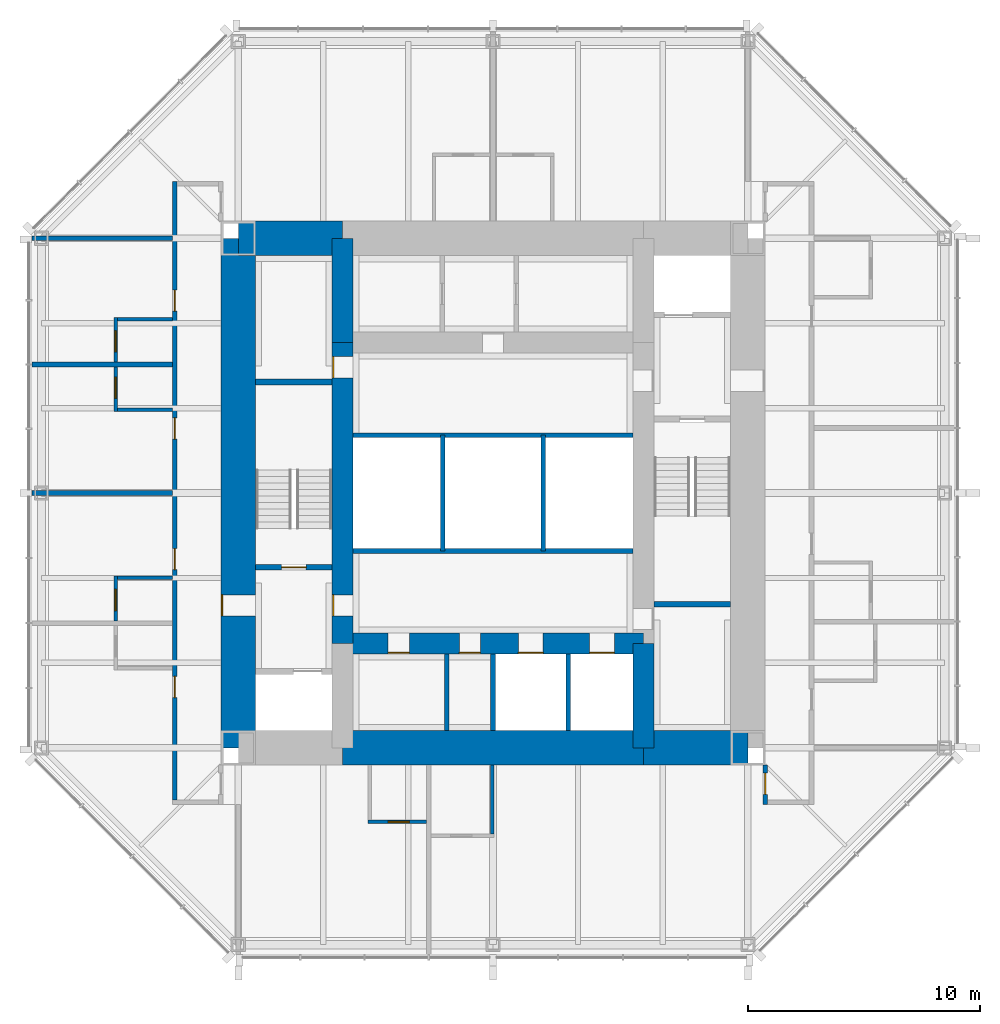
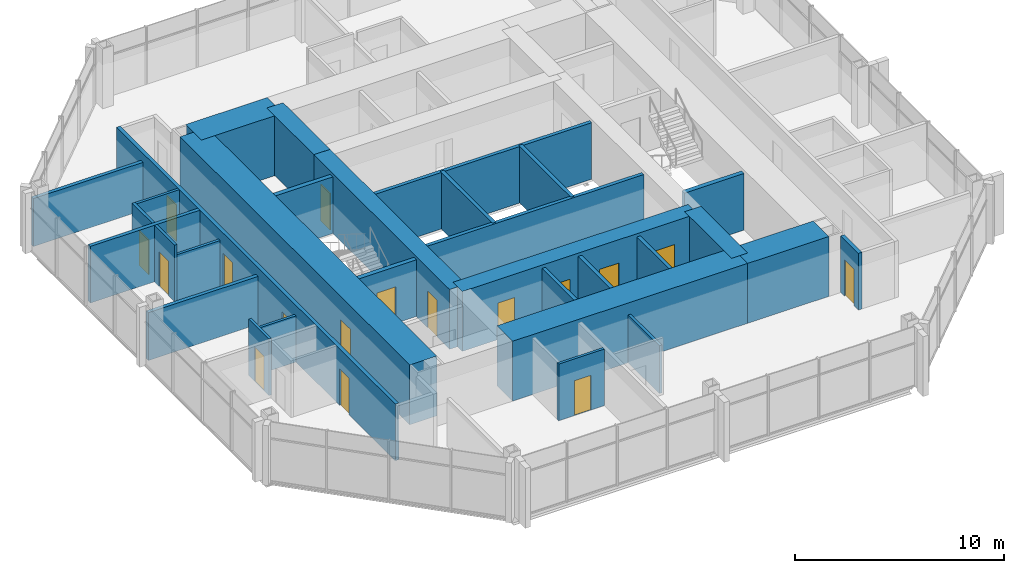
# One storey, part 8 of 11: 31 walls, 17 doors, 17 openings.
"""IFC4 building model written with IfcOpenShell, lengths in metres."""

from ifc_helpers import new_model, si_unit, direction, frame, frame_2d, origin, place, context, subcontext, project, spatial, rectangle, extrude, material, layer, layer_set, type_object, element, fill, save


model = new_model("IFC4")

# Units and contexts
model_context = context("Model", 3, precision=1e-05, world=origin(), true_north=direction((0.0, 1.0)))
body_context = subcontext(model_context, "Body", "Model", "MODEL_VIEW")
ifc_project = project(units=[si_unit("LENGTHUNIT", "METRE"), si_unit("AREAUNIT", "SQUARE_METRE"), si_unit("VOLUMEUNIT", "CUBIC_METRE"), si_unit("PLANEANGLEUNIT", "RADIAN"), si_unit("MASSUNIT", "GRAM", prefix="KILO")], contexts=[model_context])

# Site, building, storey
site_placement = place(None, origin())
site = spatial("IfcSite", under=ifc_project, at=site_placement, CompositionType="ELEMENT")
building_placement = place(site_placement, origin())
building = spatial("IfcBuilding", under=site, at=building_placement, Name="Trevanion Tower", CompositionType="ELEMENT")
storey_placement = place(building_placement, frame((0.0, 0.0, 225.699951171875)))
storey = spatial("IfcBuildingStorey", under=building, at=storey_placement, Name="L54", CompositionType="ELEMENT", Elevation=225.699951171875)

# Wall, opening, door
ifc_material_1 = material(Name="Concrete 10,000 psi", Category="concrete")
ifc_layer_1 = layer(ifc_material_1, 1.5)
ifc_layer_set_1 = layer_set([ifc_layer_1], Name="CW1 core wall 1500")
wall_type_1 = type_object("IfcWallType", Name="CW1 core wall 1500", PredefinedType="SHEAR", material=ifc_layer_set_1)
wall_1_placement = place(storey_placement, frame((-11.0, 11.0, 0.0), z_axis=(0.0, 0.0, 1.0), x_axis=(0.0, -1.0, 0.0)))
wall_1 = element("IfcWall", 1, at=wall_1_placement, inside=storey, type_object=wall_type_1, Name="CW1 CW L54", PredefinedType="SHEAR", context=body_context, shape_type="SweptSolid", body=[
    extrude(rectangle(XDim=22.0, YDim=1.5, at=frame_2d((11.0, 0.0))), origin(), (0.0, 0.0, 1.0), 3.5),
])
opening_1_placement = place(wall_1_placement, frame((15.392578125, 0.0, 0.0)))
opening_1 = element("IfcOpeningElement", 2, at=opening_1_placement, cuts=wall_1, Name="Opening 54-002", PredefinedType="OPENING", context=body_context, shape_type="SweptSolid", body=[
    extrude(rectangle(XDim=0.9150390625, YDim=2.134033203125, at=frame_2d((0.45751953125, 1.06689453125))), frame((0.0, 0.760009765625, 0.0), z_axis=(0.0, -1.0, 0.0), x_axis=(1.0, 0.0, 0.0)), (0.0, 0.0, 1.0), 1.52001953125),
])
ifc_material_2 = material(Name="Hollow metal, fire rated", Category="steel")
door_type_1 = type_object("IfcDoorType", Name="D3 fire lift lobby door", OperationType="SINGLE_SWING_RIGHT", PredefinedType="DOOR", material=ifc_material_2)
door_1_placement = place(opening_1_placement, origin())
door_1 = element("IfcDoor", 3, at=door_1_placement, inside=storey, type_object=door_type_1, Name="Door 54-002", OperationType="SINGLE_SWING_RIGHT", OverallHeight=2.134033203125, OverallWidth=0.9150390625, PredefinedType="DOOR", context=body_context, shape_type="SweptSolid", body=[
    extrude(rectangle(XDim=0.9150390625, YDim=2.134033203125, at=frame_2d((0.45751953125, 1.06689453125))), frame((0.0, -0.6748046875, 0.0), z_axis=(0.0, -1.0, 0.0), x_axis=(1.0, 0.0, 0.0)), (0.0, 0.0, 1.0), 0.050048828125),
])
fill(opening_1, door_1)

# Walls
wall_2_placement = place(storey_placement, frame((-6.5, 11.0, 0.0), z_axis=(0.0, 0.0, 1.0), x_axis=(-1.0, 0.0, 0.0)))
element("IfcWall", 4, at=wall_2_placement, inside=storey, type_object=wall_type_1, Name="CW1 CN3 L54", PredefinedType="SHEAR", context=body_context, shape_type="SweptSolid", body=[
    extrude(rectangle(XDim=4.5, YDim=1.5, at=frame_2d((2.25, 0.0))), origin(), (0.0, 0.0, 1.0), 3.5),
])
wall_3_placement = place(storey_placement, frame((-6.5, -11.0, 0.0), z_axis=(0.0, 0.0, 1.0), x_axis=(1.0, 0.0, 0.0)))
element("IfcWall", 5, at=wall_3_placement, inside=storey, type_object=wall_type_1, Name="CW1 CS2 L54", PredefinedType="SHEAR", context=body_context, shape_type="SweptSolid", body=[
    extrude(rectangle(XDim=13.0, YDim=1.5, at=frame_2d((6.5, 0.0))), origin(), (0.0, 0.0, 1.0), 3.5),
])
wall_4_placement = place(storey_placement, frame((6.5, -11.0, 0.0), z_axis=(0.0, 0.0, 1.0), x_axis=(1.0, 0.0, 0.0)))
element("IfcWall", 6, at=wall_4_placement, inside=storey, type_object=wall_type_1, Name="CW1 CS3 L54", PredefinedType="SHEAR", context=body_context, shape_type="SweptSolid", body=[
    extrude(rectangle(XDim=4.5, YDim=1.5, at=frame_2d((2.25, 0.0))), origin(), (0.0, 0.0, 1.0), 3.5),
])
ifc_material_3 = material(Name="Concrete 10,000 psi", Category="concrete")
ifc_layer_2 = layer(ifc_material_3, 0.89990234375)
ifc_layer_set_2 = layer_set([ifc_layer_2], Name="CW2 core wall 900")
wall_type_2 = type_object("IfcWallType", Name="CW2 core wall 900", PredefinedType="SHEAR", material=ifc_layer_set_2)
for number, where, z_axis, x_axis, name in (
    (7, (6.5, -11.0, 0.0), (0.0, 0.0, 1.0), (0.0, 1.0, 0.0), "CW2 RE1 L54"),
    (8, (-6.5, 11.0, 0.0), (0.0, 0.0, 1.0), (0.0, -1.0, 0.0), "CW2 RW1 L54"),
):
    element("IfcWall", number, at=place(storey_placement, frame(where, z_axis=z_axis, x_axis=x_axis)), inside=storey, type_object=wall_type_2, Name=name, PredefinedType="SHEAR", context=body_context, shape_type="SweptSolid", body=[
        extrude(rectangle(XDim=4.5, YDim=0.89990234375, at=frame_2d((2.25, 0.0))), origin(), (0.0, 0.0, 1.0), 3.5),
    ])

# Wall, openings, doors
wall_5_placement = place(storey_placement, frame((-6.5, 6.5, 0.0), z_axis=(0.0, 0.0, 1.0), x_axis=(0.0, -1.0, 0.0)))
wall_5 = element("IfcWall", 9, at=wall_5_placement, inside=storey, type_object=wall_type_2, Name="CW2 RW2 L54", PredefinedType="SHEAR", context=body_context, shape_type="SweptSolid", body=[
    extrude(rectangle(XDim=13.0, YDim=0.89990234375, at=frame_2d((6.5, 0.0))), origin(), (0.0, 0.0, 1.0), 3.5),
])
opening_2_placement = place(wall_5_placement, frame((10.892578125, 0.0, 0.0)))
opening_2 = element("IfcOpeningElement", 10, at=opening_2_placement, cuts=wall_5, Name="Opening 54-004", PredefinedType="OPENING", context=body_context, shape_type="SweptSolid", body=[
    extrude(rectangle(XDim=0.9150390625, YDim=2.134033203125, at=frame_2d((0.45751953125, 1.06689453125))), frame((0.0, 0.4599609375, 0.0), z_axis=(0.0, -1.0, 0.0), x_axis=(1.0, 0.0, 0.0)), (0.0, 0.0, 1.0), 0.919921875),
])
opening_3_placement = place(wall_5_placement, frame((0.610107421875, 0.0, 0.0)))
opening_3 = element("IfcOpeningElement", 11, at=opening_3_placement, cuts=wall_5, Name="Opening 54-010", PredefinedType="OPENING", context=body_context, shape_type="SweptSolid", body=[
    extrude(rectangle(XDim=0.9150390625, YDim=2.134033203125, at=frame_2d((0.45751953125, 1.06689453125))), frame((0.0, 0.4599609375, 0.0), z_axis=(0.0, -1.0, 0.0), x_axis=(1.0, 0.0, 0.0)), (0.0, 0.0, 1.0), 0.919921875),
])
door_2_placement = place(opening_2_placement, origin())
door_2 = element("IfcDoor", 12, at=door_2_placement, inside=storey, type_object=door_type_1, Name="Door 54-004", OperationType="SINGLE_SWING_RIGHT", OverallHeight=2.134033203125, OverallWidth=0.9150390625, PredefinedType="DOOR", context=body_context, shape_type="SweptSolid", body=[
    extrude(rectangle(XDim=0.9150390625, YDim=2.134033203125, at=frame_2d((0.45751953125, 1.06689453125))), frame((0.0, -0.375, 0.0), z_axis=(0.0, -1.0, 0.0), x_axis=(1.0, 0.0, 0.0)), (0.0, 0.0, 1.0), 0.050048828125),
])
fill(opening_2, door_2)
ifc_material_4 = material(Name="Hollow metal, fire rated", Category="steel")
door_type_2 = type_object("IfcDoorType", Name="D5 service room door", OperationType="SINGLE_SWING_RIGHT", PredefinedType="DOOR", material=ifc_material_4)
door_3_placement = place(opening_3_placement, origin())
door_3 = element("IfcDoor", 13, at=door_3_placement, inside=storey, type_object=door_type_2, Name="Door 54-010", OperationType="SINGLE_SWING_RIGHT", OverallHeight=2.134033203125, OverallWidth=0.9150390625, PredefinedType="DOOR", context=body_context, shape_type="SweptSolid", body=[
    extrude(rectangle(XDim=0.9150390625, YDim=2.134033203125, at=frame_2d((0.45751953125, 1.06689453125))), frame((0.0, -0.375, 0.0), z_axis=(0.0, -1.0, 0.0), x_axis=(1.0, 0.0, 0.0)), (0.0, 0.0, 1.0), 0.050048828125),
])
fill(opening_3, door_3)

wall_6_placement = place(storey_placement, frame((-6.5, -6.5, 0.0), z_axis=(0.0, 0.0, 1.0), x_axis=(1.0, 0.0, 0.0)))
wall_6 = element("IfcWall", 14, at=wall_6_placement, inside=storey, type_object=wall_type_2, Name="CW2 RS L54", PredefinedType="SHEAR", context=body_context, shape_type="SweptSolid", body=[
    extrude(rectangle(XDim=13.0, YDim=0.89990234375, at=frame_2d((6.5, 0.0))), origin(), (0.0, 0.0, 1.0), 3.5),
])
opening_4_placement = place(wall_6_placement, frame((7.591552734375, 0.0, 0.0)))
opening_4 = element("IfcOpeningElement", 15, at=opening_4_placement, cuts=wall_6, Name="Opening 54-011", PredefinedType="OPENING", context=body_context, shape_type="SweptSolid", body=[
    extrude(rectangle(XDim=1.06689453125, YDim=2.134033203125, at=frame_2d((0.533447265625, 1.06689453125))), frame((0.0, 0.4599609375, 0.0), z_axis=(0.0, -1.0, 0.0), x_axis=(1.0, 0.0, 0.0)), (0.0, 0.0, 1.0), 0.919921875),
])
opening_5_placement = place(wall_6_placement, frame((10.66650390625, 0.0, 0.0)))
opening_5 = element("IfcOpeningElement", 16, at=opening_5_placement, cuts=wall_6, Name="Opening 54-012", PredefinedType="OPENING", context=body_context, shape_type="SweptSolid", body=[
    extrude(rectangle(XDim=1.06689453125, YDim=2.134033203125, at=frame_2d((0.533447265625, 1.06689453125))), frame((0.0, 0.4599609375, 0.0), z_axis=(0.0, -1.0, 0.0), x_axis=(1.0, 0.0, 0.0)), (0.0, 0.0, 1.0), 0.919921875),
])
opening_6_placement = place(wall_6_placement, frame((1.967529296875, 0.0, 0.0)))
opening_6 = element("IfcOpeningElement", 17, at=opening_6_placement, cuts=wall_6, Name="Opening 54-013", PredefinedType="OPENING", context=body_context, shape_type="SweptSolid", body=[
    extrude(rectangle(XDim=0.9150390625, YDim=2.134033203125, at=frame_2d((0.45751953125, 1.06689453125))), frame((0.0, 0.4599609375, 0.0), z_axis=(0.0, -1.0, 0.0), x_axis=(1.0, 0.0, 0.0)), (0.0, 0.0, 1.0), 0.919921875),
])
opening_7_placement = place(wall_6_placement, frame((5.04248046875, 0.0, 0.0)))
opening_7 = element("IfcOpeningElement", 18, at=opening_7_placement, cuts=wall_6, Name="Opening 54-014", PredefinedType="OPENING", context=body_context, shape_type="SweptSolid", body=[
    extrude(rectangle(XDim=0.9150390625, YDim=2.134033203125, at=frame_2d((0.45751953125, 1.06689453125))), frame((0.0, 0.4599609375, 0.0), z_axis=(0.0, -1.0, 0.0), x_axis=(1.0, 0.0, 0.0)), (0.0, 0.0, 1.0), 0.919921875),
])
door_4_placement = place(opening_6_placement, origin())
door_4 = element("IfcDoor", 19, at=door_4_placement, inside=storey, type_object=door_type_2, Name="Door 54-013", OperationType="SINGLE_SWING_RIGHT", OverallHeight=2.134033203125, OverallWidth=0.9150390625, PredefinedType="DOOR", context=body_context, shape_type="SweptSolid", body=[
    extrude(rectangle(XDim=0.9150390625, YDim=2.134033203125, at=frame_2d((0.45751953125, 1.06689453125))), frame((0.0, -0.375, 0.0), z_axis=(0.0, -1.0, 0.0), x_axis=(1.0, 0.0, 0.0)), (0.0, 0.0, 1.0), 0.050048828125),
])
fill(opening_6, door_4)
door_5_placement = place(opening_7_placement, origin())
door_5 = element("IfcDoor", 20, at=door_5_placement, inside=storey, type_object=door_type_2, Name="Door 54-014", OperationType="SINGLE_SWING_RIGHT", OverallHeight=2.134033203125, OverallWidth=0.9150390625, PredefinedType="DOOR", context=body_context, shape_type="SweptSolid", body=[
    extrude(rectangle(XDim=0.9150390625, YDim=2.134033203125, at=frame_2d((0.45751953125, 1.06689453125))), frame((0.0, -0.375, 0.0), z_axis=(0.0, -1.0, 0.0), x_axis=(1.0, 0.0, 0.0)), (0.0, 0.0, 1.0), 0.050048828125),
])
fill(opening_7, door_5)
ifc_material_5 = material(Name="Stainless steel, fire rated", Category="steel")
door_type_3 = type_object("IfcDoorType", Name="LD1 lift landing door", OperationType="SLIDING_TO_LEFT", PredefinedType="DOOR", material=ifc_material_5)
door_6_placement = place(opening_4_placement, origin())
door_6 = element("IfcDoor", 21, at=door_6_placement, inside=storey, type_object=door_type_3, Name="Door 54-011", OperationType="SLIDING_TO_LEFT", OverallHeight=2.134033203125, OverallWidth=1.06689453125, PredefinedType="DOOR", context=body_context, shape_type="SweptSolid", body=[
    extrude(rectangle(XDim=1.06689453125, YDim=2.134033203125, at=frame_2d((0.533447265625, 1.06689453125))), frame((0.0, -0.375, 0.0), z_axis=(0.0, -1.0, 0.0), x_axis=(1.0, 0.0, 0.0)), (0.0, 0.0, 1.0), 0.050048828125),
])
fill(opening_4, door_6)
door_7_placement = place(opening_5_placement, origin())
door_7 = element("IfcDoor", 22, at=door_7_placement, inside=storey, type_object=door_type_3, Name="Door 54-012", OperationType="SLIDING_TO_LEFT", OverallHeight=2.134033203125, OverallWidth=1.06689453125, PredefinedType="DOOR", context=body_context, shape_type="SweptSolid", body=[
    extrude(rectangle(XDim=1.06689453125, YDim=2.134033203125, at=frame_2d((0.533447265625, 1.06689453125))), frame((0.0, -0.375, 0.0), z_axis=(0.0, -1.0, 0.0), x_axis=(1.0, 0.0, 0.0)), (0.0, 0.0, 1.0), 0.050048828125),
])
fill(opening_5, door_7)

# Wall, opening, door
ifc_material_6 = material(Name="Gypsum board on steel studs", Category="steel")
ifc_layer_3 = layer(ifc_material_6, 0.14990234375)
ifc_layer_set_3 = layer_set([ifc_layer_3], Name="PT1 partition 150")
wall_type_3 = type_object("IfcWallType", Name="PT1 partition 150", PredefinedType="PARTITIONING", material=ifc_layer_set_3)
wall_7_placement = place(storey_placement, frame((-16.300048828125, 7.573974609375, 0.0), z_axis=(0.0, 0.0, 1.0), x_axis=(0.0, -1.0, 0.0)))
wall_7 = element("IfcWall", 23, at=wall_7_placement, inside=storey, type_object=wall_type_3, Name="PT1 L54 BA20", PredefinedType="PARTITIONING", context=body_context, shape_type="SweptSolid", body=[
    extrude(rectangle(XDim=1.925048828125, YDim=0.14990234375, at=frame_2d((0.96240234375, 0.0))), origin(), (0.0, 0.0, 1.0), 3.31005859375),
])
opening_8_placement = place(wall_7_placement, frame((0.5673828125, 0.0, 0.0)))
opening_8 = element("IfcOpeningElement", 24, at=opening_8_placement, cuts=wall_7, Name="Opening 54-028", PredefinedType="OPENING", context=body_context, shape_type="SweptSolid", body=[
    extrude(rectangle(XDim=0.9150390625, YDim=2.031982421875, at=frame_2d((0.45751953125, 1.01611328125))), frame((0.0, 0.0849609375, 0.0), z_axis=(0.0, -1.0, 0.0), x_axis=(1.0, 0.0, 0.0)), (0.0, 0.0, 1.0), 0.169921875),
])
ifc_material_7 = material(Name="Timber veneer", Category="wood")
door_type_4 = type_object("IfcDoorType", Name="D7 bathroom door", OperationType="SINGLE_SWING_LEFT", PredefinedType="DOOR", material=ifc_material_7)
door_8_placement = place(opening_8_placement, origin())
door_8 = element("IfcDoor", 25, at=door_8_placement, inside=storey, type_object=door_type_4, Name="Door 54-028", OperationType="SINGLE_SWING_LEFT", OverallHeight=2.031982421875, OverallWidth=0.9150390625, PredefinedType="DOOR", context=body_context, shape_type="SweptSolid", body=[
    extrude(rectangle(XDim=0.9150390625, YDim=2.031982421875, at=frame_2d((0.45751953125, 1.01611328125))), frame((0.0, 0.02490234375, 0.0), z_axis=(0.0, -1.0, 0.0), x_axis=(1.0, 0.0, 0.0)), (0.0, 0.0, 1.0), 0.050048828125),
])
fill(opening_8, door_8)

# Wall
wall_8_placement = place(storey_placement, frame((-13.85009765625, 7.4990234375, 0.0), z_axis=(0.0, 0.0, 1.0), x_axis=(-1.0, 0.0, 0.0)))
element("IfcWall", 26, at=wall_8_placement, inside=storey, type_object=wall_type_3, Name="PT1 L54 BB20", PredefinedType="PARTITIONING", context=body_context, shape_type="SweptSolid", body=[
    extrude(rectangle(XDim=2.375, YDim=0.14990234375, at=frame_2d((1.1875, 0.0))), origin(), (0.0, 0.0, 1.0), 3.31005859375),
])

# Wall, opening, door
wall_9_placement = place(storey_placement, frame((-16.300048828125, 5.448974609375, 0.0), z_axis=(0.0, 0.0, 1.0), x_axis=(0.0, -1.0, 0.0)))
wall_9 = element("IfcWall", 27, at=wall_9_placement, inside=storey, type_object=wall_type_3, Name="PT1 L54 BA21", PredefinedType="PARTITIONING", context=body_context, shape_type="SweptSolid", body=[
    extrude(rectangle(XDim=1.925048828125, YDim=0.14990234375, at=frame_2d((0.96240234375, 0.0))), origin(), (0.0, 0.0, 1.0), 3.31005859375),
])
opening_9_placement = place(wall_9_placement, frame((0.4423828125, 0.0, 0.0)))
opening_9 = element("IfcOpeningElement", 28, at=opening_9_placement, cuts=wall_9, Name="Opening 54-030", PredefinedType="OPENING", context=body_context, shape_type="SweptSolid", body=[
    extrude(rectangle(XDim=0.9150390625, YDim=2.031982421875, at=frame_2d((0.45751953125, 1.01611328125))), frame((0.0, 0.0849609375, 0.0), z_axis=(0.0, -1.0, 0.0), x_axis=(1.0, 0.0, 0.0)), (0.0, 0.0, 1.0), 0.169921875),
])
door_9_placement = place(opening_9_placement, origin())
door_9 = element("IfcDoor", 29, at=door_9_placement, inside=storey, type_object=door_type_4, Name="Door 54-030", OperationType="SINGLE_SWING_LEFT", OverallHeight=2.031982421875, OverallWidth=0.9150390625, PredefinedType="DOOR", context=body_context, shape_type="SweptSolid", body=[
    extrude(rectangle(XDim=0.9150390625, YDim=2.031982421875, at=frame_2d((0.45751953125, 1.01611328125))), frame((0.0, 0.02490234375, 0.0), z_axis=(0.0, -1.0, 0.0), x_axis=(1.0, 0.0, 0.0)), (0.0, 0.0, 1.0), 0.050048828125),
])
fill(opening_9, door_9)

# Wall
wall_10_placement = place(storey_placement, frame((-13.85009765625, 3.59912109375, 0.0), z_axis=(0.0, 0.0, 1.0), x_axis=(-1.0, 0.0, 0.0)))
element("IfcWall", 30, at=wall_10_placement, inside=storey, type_object=wall_type_3, Name="PT1 L54 BB21", PredefinedType="PARTITIONING", context=body_context, shape_type="SweptSolid", body=[
    extrude(rectangle(XDim=2.375, YDim=0.14990234375, at=frame_2d((1.1875, 0.0))), origin(), (0.0, 0.0, 1.0), 2.703125),
])

# Wall, opening, door
wall_11_placement = place(storey_placement, frame((-16.300048828125, -3.589111328125, 0.0), z_axis=(0.0, 0.0, 1.0), x_axis=(0.0, -1.0, 0.0)))
wall_11 = element("IfcWall", 31, at=wall_11_placement, inside=storey, type_object=wall_type_3, Name="PT1 L54 BA22", PredefinedType="PARTITIONING", context=body_context, shape_type="SweptSolid", body=[
    extrude(rectangle(XDim=1.9248046875, YDim=0.14990234375, at=frame_2d((0.96240234375, 0.0))), origin(), (0.0, 0.0, 1.0), 3.31005859375),
])
opening_10_placement = place(wall_11_placement, frame((0.5673828125, 0.0, 0.0)))
opening_10 = element("IfcOpeningElement", 32, at=opening_10_placement, cuts=wall_11, Name="Opening 54-032", PredefinedType="OPENING", context=body_context, shape_type="SweptSolid", body=[
    extrude(rectangle(XDim=0.9150390625, YDim=2.031982421875, at=frame_2d((0.45751953125, 1.01611328125))), frame((0.0, 0.0849609375, 0.0), z_axis=(0.0, -1.0, 0.0), x_axis=(1.0, 0.0, 0.0)), (0.0, 0.0, 1.0), 0.169921875),
])
door_10_placement = place(opening_10_placement, origin())
door_10 = element("IfcDoor", 33, at=door_10_placement, inside=storey, type_object=door_type_4, Name="Door 54-032", OperationType="SINGLE_SWING_LEFT", OverallHeight=2.031982421875, OverallWidth=0.9150390625, PredefinedType="DOOR", context=body_context, shape_type="SweptSolid", body=[
    extrude(rectangle(XDim=0.9150390625, YDim=2.031982421875, at=frame_2d((0.45751953125, 1.01611328125))), frame((0.0, 0.02490234375, 0.0), z_axis=(0.0, -1.0, 0.0), x_axis=(1.0, 0.0, 0.0)), (0.0, 0.0, 1.0), 0.050048828125),
])
fill(opening_10, door_10)

# Wall
wall_12_placement = place(storey_placement, frame((-13.85009765625, -3.6640625, 0.0), z_axis=(0.0, 0.0, 1.0), x_axis=(-1.0, 0.0, 0.0)))
element("IfcWall", 34, at=wall_12_placement, inside=storey, type_object=wall_type_3, Name="PT1 L54 BB22", PredefinedType="PARTITIONING", context=body_context, shape_type="SweptSolid", body=[
    extrude(rectangle(XDim=2.375, YDim=0.14990234375, at=frame_2d((1.1875, 0.0))), origin(), (0.0, 0.0, 1.0), 2.703125),
])

# Wall, opening, door
wall_13_placement = place(storey_placement, frame((-5.39990234375, -14.199951171875, 0.0), z_axis=(0.0, 0.0, 1.0), x_axis=(1.0, 0.0, 0.0)))
wall_13 = element("IfcWall", 35, at=wall_13_placement, inside=storey, type_object=wall_type_3, Name="PT1 L54 BA30", PredefinedType="PARTITIONING", context=body_context, shape_type="SweptSolid", body=[
    extrude(rectangle(XDim=2.52490234375, YDim=0.14990234375, at=frame_2d((1.262451171875, 0.0))), origin(), (0.0, 0.0, 1.0), 3.31005859375),
])
opening_11_placement = place(wall_13_placement, frame((0.867431640625, 0.0, 0.0)))
opening_11 = element("IfcOpeningElement", 36, at=opening_11_placement, cuts=wall_13, Name="Opening 54-038", PredefinedType="OPENING", context=body_context, shape_type="SweptSolid", body=[
    extrude(rectangle(XDim=0.9150390625, YDim=2.031982421875, at=frame_2d((0.45751953125, 1.01611328125))), frame((0.0, 0.0849609375, 0.0), z_axis=(0.0, -1.0, 0.0), x_axis=(1.0, 0.0, 0.0)), (0.0, 0.0, 1.0), 0.169921875),
])
door_11_placement = place(opening_11_placement, origin())
door_11 = element("IfcDoor", 37, at=door_11_placement, inside=storey, type_object=door_type_4, Name="Door 54-038", OperationType="SINGLE_SWING_LEFT", OverallHeight=2.031982421875, OverallWidth=0.9150390625, PredefinedType="DOOR", context=body_context, shape_type="SweptSolid", body=[
    extrude(rectangle(XDim=0.9150390625, YDim=2.031982421875, at=frame_2d((0.45751953125, 1.01611328125))), frame((0.0, 0.02490234375, 0.0), z_axis=(0.0, -1.0, 0.0), x_axis=(1.0, 0.0, 0.0)), (0.0, 0.0, 1.0), 0.050048828125),
])
fill(opening_11, door_11)

# Walls
wall_14_placement = place(storey_placement, frame((-0.02490234375, -11.75, 0.0), z_axis=(0.0, 0.0, 1.0), x_axis=(0.0, -1.0, 0.0)))
element("IfcWall", 38, at=wall_14_placement, inside=storey, type_object=wall_type_3, Name="PT1 L54 BB31", PredefinedType="PARTITIONING", context=body_context, shape_type="SweptSolid", body=[
    extrude(rectangle(XDim=2.97509765625, YDim=0.14990234375, at=frame_2d((1.487548828125, 0.0))), origin(), (0.0, 0.0, 1.0), 2.802001953125),
])
ifc_material_8 = material(Name="Concrete masonry, grouted", Category="masonry")
ifc_layer_4 = layer(ifc_material_8, 0.199951171875)
ifc_layer_set_4 = layer_set([ifc_layer_4], Name="PT2 partition 200 1 HR")
wall_type_4 = type_object("IfcWallType", Name="PT2 partition 200 1 HR", PredefinedType="PARTITIONING", material=ifc_layer_set_4)
for number, where, z_axis, x_axis, name in (
    (39, (-6.050048828125, 2.5, 0.0), (0.0, 0.0, 1.0), (1.0, 0.0, 0.0), "PT2 L54 CP1"),
    (40, (6.050048828125, -2.5, 0.0), (0.0, 0.0, 1.0), (-1.0, 0.0, 0.0), "PT2 L54 CP2"),
):
    element("IfcWall", number, at=place(storey_placement, frame(where, z_axis=z_axis, x_axis=x_axis)), inside=storey, type_object=wall_type_4, Name=name, PredefinedType="PARTITIONING", context=body_context, shape_type="SweptSolid", body=[
        extrude(rectangle(XDim=12.10009765625, YDim=0.199951171875, at=frame_2d((6.050048828125, 0.0))), origin(), (0.0, 0.0, 1.0), 3.31005859375),
    ])
wall_15_placement = place(storey_placement, frame((-2.0, -10.25, 0.0), z_axis=(0.0, 0.0, 1.0), x_axis=(0.0, 1.0, 0.0)))
element("IfcWall", 41, at=wall_15_placement, inside=storey, type_object=wall_type_4, Name="PT2 L54 SI0", PredefinedType="PARTITIONING", context=body_context, shape_type="SweptSolid", body=[
    extrude(rectangle(XDim=3.300048828125, YDim=0.199951171875, at=frame_2d((1.64990234375, 0.0))), origin(), (0.0, 0.0, 1.0), 3.31005859375),
])

# Wall, opening, door
wall_16_placement = place(storey_placement, frame((11.75, -11.75, 0.0), z_axis=(0.0, 0.0, 1.0), x_axis=(0.0, -1.0, 0.0)))
wall_16 = element("IfcWall", 42, at=wall_16_placement, inside=storey, type_object=wall_type_4, Name="PT2 L54 HO3b", PredefinedType="PARTITIONING", context=body_context, shape_type="SweptSolid", body=[
    extrude(rectangle(XDim=1.699951171875, YDim=0.199951171875, at=frame_2d((0.85009765625, 0.0))), origin(), (0.0, 0.0, 1.0), 3.31005859375),
])
opening_12_placement = place(wall_16_placement, frame((0.342529296875, 0.0, 0.0)))
opening_12 = element("IfcOpeningElement", 43, at=opening_12_placement, cuts=wall_16, Name="Opening 54-037", PredefinedType="OPENING", context=body_context, shape_type="SweptSolid", body=[
    extrude(rectangle(XDim=0.9150390625, YDim=2.134033203125, at=frame_2d((0.45751953125, 1.06689453125))), frame((0.0, 0.10986328125, 0.0), z_axis=(0.0, -1.0, 0.0), x_axis=(1.0, 0.0, 0.0)), (0.0, 0.0, 1.0), 0.219970703125),
])
ifc_material_9 = material(Name="Timber veneer, fire rated", Category="wood")
door_type_5 = type_object("IfcDoorType", Name="D6 guest room entrance door", OperationType="SINGLE_SWING_LEFT", PredefinedType="DOOR", material=ifc_material_9)
door_12_placement = place(opening_12_placement, origin())
door_12 = element("IfcDoor", 44, at=door_12_placement, inside=storey, type_object=door_type_5, Name="Door 54-037", OperationType="SINGLE_SWING_LEFT", OverallHeight=2.134033203125, OverallWidth=0.9150390625, PredefinedType="DOOR", context=body_context, shape_type="SweptSolid", body=[
    extrude(rectangle(XDim=0.9150390625, YDim=2.134033203125, at=frame_2d((0.45751953125, 1.06689453125))), frame((0.0, 0.02490234375, 0.0), z_axis=(0.0, -1.0, 0.0), x_axis=(1.0, 0.0, 0.0)), (0.0, 0.0, 1.0), 0.050048828125),
])
fill(opening_12, door_12)

# Wall, openings, doors
wall_17_placement = place(storey_placement, frame((-13.75, 13.449951171875, 0.0), z_axis=(0.0, 0.0, 1.0), x_axis=(0.0, -1.0, 0.0)))
wall_17 = element("IfcWall", 45, at=wall_17_placement, inside=storey, type_object=wall_type_4, Name="PT2 L54 HC2", PredefinedType="PARTITIONING", context=body_context, shape_type="SweptSolid", body=[
    extrude(rectangle(XDim=26.699951171875, YDim=0.199951171875, at=frame_2d((13.35009765625, 0.0))), origin(), (0.0, 0.0, 1.0), 3.31005859375),
])
opening_13_placement = place(wall_17_placement, frame((4.68359375, 0.0, 0.0)))
opening_13 = element("IfcOpeningElement", 46, at=opening_13_placement, cuts=wall_17, Name="Opening 54-029", PredefinedType="OPENING", context=body_context, shape_type="SweptSolid", body=[
    extrude(rectangle(XDim=0.9150390625, YDim=2.134033203125, at=frame_2d((0.45751953125, 1.06689453125))), frame((0.0, 0.10986328125, 0.0), z_axis=(0.0, -1.0, 0.0), x_axis=(1.0, 0.0, 0.0)), (0.0, 0.0, 1.0), 0.219970703125),
])
opening_14_placement = place(wall_17_placement, frame((10.20361328125, 0.0, 0.0)))
opening_14 = element("IfcOpeningElement", 47, at=opening_14_placement, cuts=wall_17, Name="Opening 54-031", PredefinedType="OPENING", context=body_context, shape_type="SweptSolid", body=[
    extrude(rectangle(XDim=0.9150390625, YDim=2.134033203125, at=frame_2d((0.45751953125, 1.06689453125))), frame((0.0, 0.10986328125, 0.0), z_axis=(0.0, -1.0, 0.0), x_axis=(1.0, 0.0, 0.0)), (0.0, 0.0, 1.0), 0.219970703125),
])
opening_15_placement = place(wall_17_placement, frame((15.846435546875, 0.0, 0.0)))
opening_15 = element("IfcOpeningElement", 48, at=opening_15_placement, cuts=wall_17, Name="Opening 54-033", PredefinedType="OPENING", context=body_context, shape_type="SweptSolid", body=[
    extrude(rectangle(XDim=0.9150390625, YDim=2.134033203125, at=frame_2d((0.45751953125, 1.06689453125))), frame((0.0, 0.10986328125, 0.0), z_axis=(0.0, -1.0, 0.0), x_axis=(1.0, 0.0, 0.0)), (0.0, 0.0, 1.0), 0.219970703125),
])
opening_16_placement = place(wall_17_placement, frame((21.366455078125, 0.0, 0.0)))
opening_16 = element("IfcOpeningElement", 49, at=opening_16_placement, cuts=wall_17, Name="Opening 54-035", PredefinedType="OPENING", context=body_context, shape_type="SweptSolid", body=[
    extrude(rectangle(XDim=0.9150390625, YDim=2.134033203125, at=frame_2d((0.45751953125, 1.06689453125))), frame((0.0, 0.10986328125, 0.0), z_axis=(0.0, -1.0, 0.0), x_axis=(1.0, 0.0, 0.0)), (0.0, 0.0, 1.0), 0.219970703125),
])
door_13_placement = place(opening_13_placement, origin())
door_13 = element("IfcDoor", 50, at=door_13_placement, inside=storey, type_object=door_type_5, Name="Door 54-029", OperationType="SINGLE_SWING_LEFT", OverallHeight=2.134033203125, OverallWidth=0.9150390625, PredefinedType="DOOR", context=body_context, shape_type="SweptSolid", body=[
    extrude(rectangle(XDim=0.9150390625, YDim=2.134033203125, at=frame_2d((0.45751953125, 1.06689453125))), frame((0.0, 0.02490234375, 0.0), z_axis=(0.0, -1.0, 0.0), x_axis=(1.0, 0.0, 0.0)), (0.0, 0.0, 1.0), 0.050048828125),
])
fill(opening_13, door_13)
door_14_placement = place(opening_14_placement, origin())
door_14 = element("IfcDoor", 51, at=door_14_placement, inside=storey, type_object=door_type_5, Name="Door 54-031", OperationType="SINGLE_SWING_LEFT", OverallHeight=2.134033203125, OverallWidth=0.9150390625, PredefinedType="DOOR", context=body_context, shape_type="SweptSolid", body=[
    extrude(rectangle(XDim=0.9150390625, YDim=2.134033203125, at=frame_2d((0.45751953125, 1.06689453125))), frame((0.0, 0.02490234375, 0.0), z_axis=(0.0, -1.0, 0.0), x_axis=(1.0, 0.0, 0.0)), (0.0, 0.0, 1.0), 0.050048828125),
])
fill(opening_14, door_14)
door_15_placement = place(opening_15_placement, origin())
door_15 = element("IfcDoor", 52, at=door_15_placement, inside=storey, type_object=door_type_5, Name="Door 54-033", OperationType="SINGLE_SWING_LEFT", OverallHeight=2.134033203125, OverallWidth=0.9150390625, PredefinedType="DOOR", context=body_context, shape_type="SweptSolid", body=[
    extrude(rectangle(XDim=0.9150390625, YDim=2.134033203125, at=frame_2d((0.45751953125, 1.06689453125))), frame((0.0, 0.02490234375, 0.0), z_axis=(0.0, -1.0, 0.0), x_axis=(1.0, 0.0, 0.0)), (0.0, 0.0, 1.0), 0.050048828125),
])
fill(opening_15, door_15)
door_16_placement = place(opening_16_placement, origin())
door_16 = element("IfcDoor", 53, at=door_16_placement, inside=storey, type_object=door_type_5, Name="Door 54-035", OperationType="SINGLE_SWING_LEFT", OverallHeight=2.134033203125, OverallWidth=0.9150390625, PredefinedType="DOOR", context=body_context, shape_type="SweptSolid", body=[
    extrude(rectangle(XDim=0.9150390625, YDim=2.134033203125, at=frame_2d((0.45751953125, 1.06689453125))), frame((0.0, 0.02490234375, 0.0), z_axis=(0.0, -1.0, 0.0), x_axis=(1.0, 0.0, 0.0)), (0.0, 0.0, 1.0), 0.050048828125),
])
fill(opening_16, door_16)

# Walls
wall_18_placement = place(storey_placement, frame((-13.85009765625, 11.0, 0.0), z_axis=(0.0, 0.0, 1.0), x_axis=(-1.0, 0.0, 0.0)))
element("IfcWall", 54, at=wall_18_placement, inside=storey, type_object=wall_type_4, Name="PT2 L54 HD20", PredefinedType="PARTITIONING", context=body_context, shape_type="SweptSolid", body=[
    extrude(rectangle(XDim=6.06494140625, YDim=0.199951171875, at=frame_2d((3.032470703125, 0.0))), origin(), (0.0, 0.0, 1.0), 2.802001953125),
])
wall_19_placement = place(storey_placement, frame((-13.85009765625, 5.549072265625, 0.0), z_axis=(0.0, 0.0, 1.0), x_axis=(-1.0, 0.0, 0.0)))
element("IfcWall", 55, at=wall_19_placement, inside=storey, type_object=wall_type_4, Name="PT2 L54 HD21", PredefinedType="PARTITIONING", context=body_context, shape_type="SweptSolid", body=[
    extrude(rectangle(XDim=6.06494140625, YDim=0.199951171875, at=frame_2d((3.032470703125, 0.0))), origin(), (0.0, 0.0, 1.0), 3.31005859375),
])
wall_20_placement = place(storey_placement, frame((-13.85009765625, 0.0, 0.0), z_axis=(0.0, 0.0, 1.0), x_axis=(-1.0, 0.0, 0.0)))
element("IfcWall", 56, at=wall_20_placement, inside=storey, type_object=wall_type_4, Name="PT2 L54 HD22", PredefinedType="PARTITIONING", context=body_context, shape_type="SweptSolid", body=[
    extrude(rectangle(XDim=6.06494140625, YDim=0.199951171875, at=frame_2d((3.032470703125, 0.0))), origin(), (0.0, 0.0, 1.0), 2.802001953125),
])
ifc_material_10 = material(Name="Concrete masonry, grouted", Category="masonry")
ifc_layer_5 = layer(ifc_material_10, 0.199951171875)
ifc_layer_set_5 = layer_set([ifc_layer_5], Name="PT2 partition 200 2 HR")
wall_type_5 = type_object("IfcWallType", Name="PT2 partition 200 2 HR", PredefinedType="PARTITIONING", material=ifc_layer_set_5)
for number, where, z_axis, x_axis, name in (
    (57, (0.0, -10.25, 0.0), (0.0, 0.0, 1.0), (0.0, 1.0, 0.0), "PT2 L54 SS1"),
    (58, (3.25, -10.25, 0.0), (0.0, 0.0, 1.0), (0.0, 1.0, 0.0), "PT2 L54 SS2"),
):
    element("IfcWall", number, at=place(storey_placement, frame(where, z_axis=z_axis, x_axis=x_axis)), inside=storey, type_object=wall_type_5, Name=name, PredefinedType="PARTITIONING", context=body_context, shape_type="SweptSolid", body=[
        extrude(rectangle(XDim=3.300048828125, YDim=0.199951171875, at=frame_2d((1.64990234375, 0.0))), origin(), (0.0, 0.0, 1.0), 3.31005859375),
    ])
for number, where, z_axis, x_axis, name in (
    (59, (-2.166748046875, -2.5, 0.0), (0.0, 0.0, 1.0), (0.0, 1.0, 0.0), "PT2 L54 MS0"),
    (60, (2.166748046875, -2.5, 0.0), (0.0, 0.0, 1.0), (0.0, 1.0, 0.0), "PT2 L54 MS1"),
):
    element("IfcWall", number, at=place(storey_placement, frame(where, z_axis=z_axis, x_axis=x_axis)), inside=storey, type_object=wall_type_5, Name=name, PredefinedType="PARTITIONING", context=body_context, shape_type="SweptSolid", body=[
        extrude(rectangle(XDim=5.0, YDim=0.199951171875, at=frame_2d((2.5, 0.0))), origin(), (0.0, 0.0, 1.0), 3.31005859375),
    ])
ifc_material_11 = material(Name="Reinforced masonry, fully grouted", Category="masonry")
ifc_layer_6 = layer(ifc_material_11, 0.25)
ifc_layer_set_6 = layer_set([ifc_layer_6], Name="SW1 stair shaft wall 250")
wall_type_6 = type_object("IfcWallType", Name="SW1 stair shaft wall 250", PredefinedType="SOLIDWALL", material=ifc_layer_set_6)
for number, where, z_axis, x_axis, name in (
    (61, (6.949951171875, -4.800048828125, 0.0), (0.0, 0.0, 1.0), (1.0, 0.0, 0.0), "SW1 L54 EP1"),
    (62, (-6.949951171875, 4.800048828125, 0.0), (0.0, 0.0, 1.0), (-1.0, 0.0, 0.0), "SW1 L54 WP1"),
):
    element("IfcWall", number, at=place(storey_placement, frame(where, z_axis=z_axis, x_axis=x_axis)), inside=storey, type_object=wall_type_6, Name=name, PredefinedType="SOLIDWALL", context=body_context, shape_type="SweptSolid", body=[
        extrude(rectangle(XDim=3.300048828125, YDim=0.25, at=frame_2d((1.64990234375, 0.0))), origin(), (0.0, 0.0, 1.0), 3.31005859375),
    ])

# Wall, opening, door
wall_21_placement = place(storey_placement, frame((-6.949951171875, -3.199951171875, 0.0), z_axis=(0.0, 0.0, 1.0), x_axis=(-1.0, 0.0, 0.0)))
wall_21 = element("IfcWall", 63, at=wall_21_placement, inside=storey, type_object=wall_type_6, Name="SW1 L54 WP2", PredefinedType="SOLIDWALL", context=body_context, shape_type="SweptSolid", body=[
    extrude(rectangle(XDim=3.300048828125, YDim=0.25, at=frame_2d((1.64990234375, 0.0))), origin(), (0.0, 0.0, 1.0), 3.31005859375),
])
opening_17_placement = place(wall_21_placement, frame((1.116455078125, 0.0, 0.0)))
opening_17 = element("IfcOpeningElement", 64, at=opening_17_placement, cuts=wall_21, Name="Opening 54-006", PredefinedType="OPENING", context=body_context, shape_type="SweptSolid", body=[
    extrude(rectangle(XDim=1.06689453125, YDim=2.134033203125, at=frame_2d((0.533447265625, 1.06689453125))), frame((0.0, 0.135009765625, 0.0), z_axis=(0.0, -1.0, 0.0), x_axis=(1.0, 0.0, 0.0)), (0.0, 0.0, 1.0), 0.27001953125),
])
ifc_material_12 = material(Name="Hollow metal, fire rated", Category="steel")
door_type_6 = type_object("IfcDoorType", Name="D2 exit stair door", OperationType="SINGLE_SWING_LEFT", PredefinedType="DOOR", material=ifc_material_12)
door_17_placement = place(opening_17_placement, origin())
door_17 = element("IfcDoor", 65, at=door_17_placement, inside=storey, type_object=door_type_6, Name="Door 54-006", OperationType="SINGLE_SWING_LEFT", OverallHeight=2.134033203125, OverallWidth=1.06689453125, PredefinedType="DOOR", context=body_context, shape_type="SweptSolid", body=[
    extrude(rectangle(XDim=1.06689453125, YDim=2.134033203125, at=frame_2d((0.533447265625, 1.06689453125))), frame((0.0, 0.02490234375, 0.0), z_axis=(0.0, -1.0, 0.0), x_axis=(1.0, 0.0, 0.0)), (0.0, 0.0, 1.0), 0.050048828125),
])
fill(opening_17, door_17)

save(model, "model.ifc")
